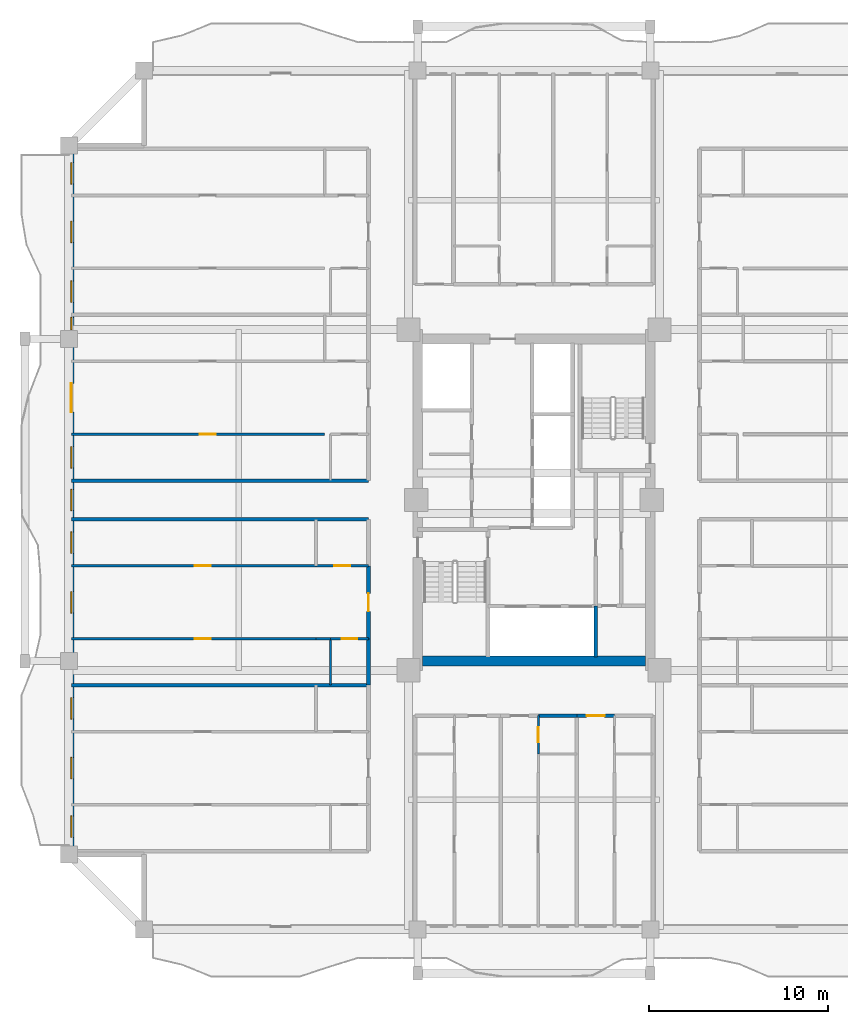
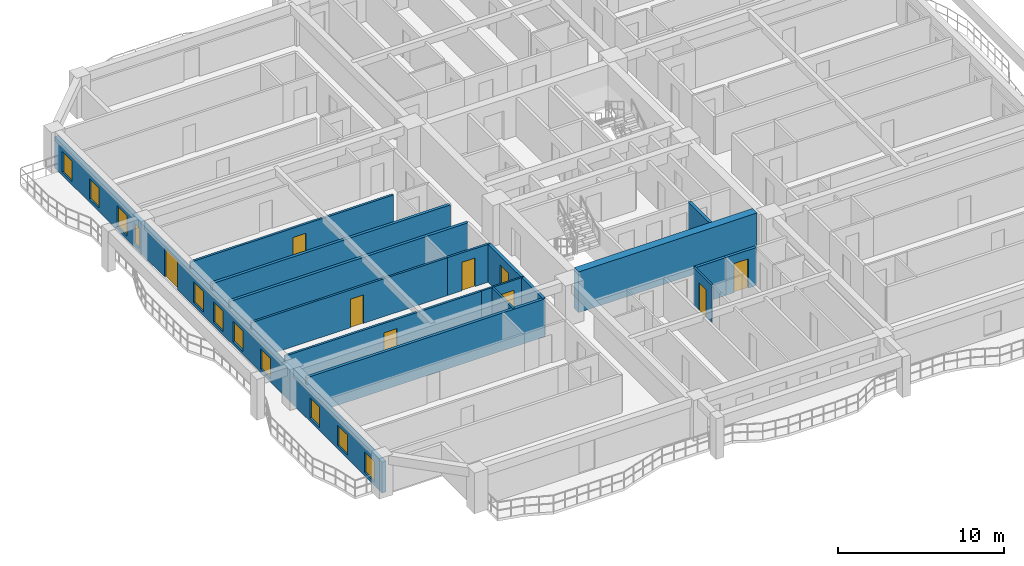
# One storey, part 3 of 13: 18 walls, 11 windows, 9 doors, 20 openings.
"""IFC4 building model written with IfcOpenShell, lengths in metres."""

from ifc_helpers import new_model, si_unit, direction, frame, frame_2d, origin, place, context, subcontext, project, spatial, rectangle, extrude, source, transform, mapped, material, layer, layer_set, type_object, element, fill, save


model = new_model("IFC4")

# Units and contexts
model_context = context("Model", 3, precision=1e-05, world=origin(), true_north=direction((0.0, 1.0)))
body_context = subcontext(model_context, "Body", "Model", "MODEL_VIEW")
ifc_project = project(units=[si_unit("LENGTHUNIT", "METRE"), si_unit("AREAUNIT", "SQUARE_METRE"), si_unit("VOLUMEUNIT", "CUBIC_METRE"), si_unit("PLANEANGLEUNIT", "RADIAN"), si_unit("MASSUNIT", "GRAM", prefix="KILO")], contexts=[model_context])

# Site, building, storey
site_placement = place(None, origin())
site = spatial("IfcSite", under=ifc_project, at=site_placement, CompositionType="ELEMENT")
building_placement = place(site_placement, origin())
building = spatial("IfcBuilding", under=site, at=building_placement, Name="Saelheon Loggia Tower", CompositionType="ELEMENT")
storey_placement = place(building_placement, frame((0.0, 0.0, 110.85009765625)))
storey = spatial("IfcBuildingStorey", under=building, at=storey_placement, Name="L35", CompositionType="ELEMENT", Elevation=110.85009765625)

# Wall
ifc_material_1 = material(Name="Concrete C50/60", Category="concrete")
ifc_layer_1 = layer(ifc_material_1, 0.550048828125)
ifc_layer_set_1 = layer_set([ifc_layer_1], Name="Concrete C50/60")
wall_type_1 = type_object("IfcWallType", Name="Wall_CoreShear_550", PredefinedType="SHEAR", material=ifc_layer_set_1)
wall_1_placement = place(storey_placement, frame((31.77490234375, 18.0, 0.0), z_axis=(0.0, 0.0, 1.0), x_axis=(1.0, 0.0, 0.0)))
element("IfcWall", 1, at=wall_1_placement, inside=storey, type_object=wall_type_1, Name="L35 Core Shear Wall South", PredefinedType="SHEAR", context=body_context, shape_type="SweptSolid", body=[
    extrude(rectangle(XDim=12.4501953125, YDim=0.550048828125, at=frame_2d((6.22509765625, 0.0))), origin(), (0.0, 0.0, 1.0), 3.0),
])

# Wall, openings, windows, door
ifc_material_2 = material(Name="Architectural Precast Concrete C40/50", Category="concrete")
ifc_layer_2 = layer(ifc_material_2, 0.280029296875)
ifc_layer_set_2 = layer_set([ifc_layer_2], Name="Architectural Precast Concrete C40/50")
wall_type_2 = type_object("IfcWallType", Name="Wall_Ext_Loggia_280", PredefinedType="SOLIDWALL", material=ifc_layer_set_2)
wall_2_placement = place(storey_placement, frame((12.139892578125, 7.199951171875, 0.0), z_axis=(0.0, 0.0, 1.0), x_axis=(0.0, 1.0, 0.0)))
wall_2 = element("IfcWall", 2, at=wall_2_placement, inside=storey, type_object=wall_type_2, Name="L35 West Loggia Inner Wall", PredefinedType="SOLIDWALL", context=body_context, shape_type="SweptSolid", body=[
    extrude(rectangle(XDim=39.60009765625, YDim=0.280029296875, at=frame_2d((19.800048828125, 0.0))), origin(), (0.0, 0.0, 1.0), 2.27978515625),
])
opening_1_placement = place(wall_2_placement, frame((0.9453125, 0.0, 0.25)))
opening_1 = element("IfcOpeningElement", 3, at=opening_1_placement, cuts=wall_2, Name="Opening WN-03", PredefinedType="OPENING", context=body_context, shape_type="SweptSolid", body=[
    extrude(rectangle(XDim=1.199951171875, YDim=1.5, at=frame_2d((0.60009765625, 0.75))), frame((0.0, 0.152099609375, 0.0), z_axis=(0.0, -1.0, 0.0), x_axis=(1.0, 0.0, 0.0)), (0.0, 0.0, 1.0), 0.303955078125),
])
opening_2_placement = place(wall_2_placement, frame((4.212890625, 0.0, 0.25)))
opening_2 = element("IfcOpeningElement", 4, at=opening_2_placement, cuts=wall_2, Name="Opening WN-03", PredefinedType="OPENING", context=body_context, shape_type="SweptSolid", body=[
    extrude(rectangle(XDim=1.199951171875, YDim=1.5, at=frame_2d((0.60009765625, 0.75))), frame((0.0, 0.152099609375, 0.0), z_axis=(0.0, -1.0, 0.0), x_axis=(1.0, 0.0, 0.0)), (0.0, 0.0, 1.0), 0.303955078125),
])
opening_3_placement = place(wall_2_placement, frame((7.550048828125, 0.0, 0.25)))
opening_3 = element("IfcOpeningElement", 5, at=opening_3_placement, cuts=wall_2, Name="Opening WN-03", PredefinedType="OPENING", context=body_context, shape_type="SweptSolid", body=[
    extrude(rectangle(XDim=1.199951171875, YDim=1.5, at=frame_2d((0.60009765625, 0.75))), frame((0.0, 0.152099609375, 0.0), z_axis=(0.0, -1.0, 0.0), x_axis=(1.0, 0.0, 0.0)), (0.0, 0.0, 1.0), 0.303955078125),
])
opening_4_placement = place(wall_2_placement, frame((13.48291015625, 0.0, 0.25)))
opening_4 = element("IfcOpeningElement", 6, at=opening_4_placement, cuts=wall_2, Name="Opening WN-03", PredefinedType="OPENING", context=body_context, shape_type="SweptSolid", body=[
    extrude(rectangle(XDim=1.199951171875, YDim=1.5, at=frame_2d((0.60009765625, 0.75))), frame((0.0, 0.152099609375, 0.0), z_axis=(0.0, -1.0, 0.0), x_axis=(1.0, 0.0, 0.0)), (0.0, 0.0, 1.0), 0.303955078125),
])
opening_5_placement = place(wall_2_placement, frame((16.820068359375, 0.0, 0.25)))
opening_5 = element("IfcOpeningElement", 7, at=opening_5_placement, cuts=wall_2, Name="Opening WN-03", PredefinedType="OPENING", context=body_context, shape_type="SweptSolid", body=[
    extrude(rectangle(XDim=1.199951171875, YDim=1.5, at=frame_2d((0.60009765625, 0.75))), frame((0.0, 0.152099609375, 0.0), z_axis=(0.0, -1.0, 0.0), x_axis=(1.0, 0.0, 0.0)), (0.0, 0.0, 1.0), 0.303955078125),
])
opening_6_placement = place(wall_2_placement, frame((19.199951171875, 0.0, 0.25)))
opening_6 = element("IfcOpeningElement", 8, at=opening_6_placement, cuts=wall_2, Name="Opening WN-03", PredefinedType="OPENING", context=body_context, shape_type="SweptSolid", body=[
    extrude(rectangle(XDim=1.199951171875, YDim=1.5, at=frame_2d((0.60009765625, 0.75))), frame((0.0, 0.152099609375, 0.0), z_axis=(0.0, -1.0, 0.0), x_axis=(1.0, 0.0, 0.0)), (0.0, 0.0, 1.0), 0.303955078125),
])
opening_7_placement = place(wall_2_placement, frame((21.577880859375, 0.0, 0.25)))
opening_7 = element("IfcOpeningElement", 9, at=opening_7_placement, cuts=wall_2, Name="Opening WN-03", PredefinedType="OPENING", context=body_context, shape_type="SweptSolid", body=[
    extrude(rectangle(XDim=1.199951171875, YDim=1.5, at=frame_2d((0.60009765625, 0.75))), frame((0.0, 0.152099609375, 0.0), z_axis=(0.0, -1.0, 0.0), x_axis=(1.0, 0.0, 0.0)), (0.0, 0.0, 1.0), 0.303955078125),
])
opening_8_placement = place(wall_2_placement, frame((24.712890625, 0.0, 0.0)))
opening_8 = element("IfcOpeningElement", 10, at=opening_8_placement, cuts=wall_2, Name="Opening DLG-1", PredefinedType="OPENING", context=body_context, shape_type="SweptSolid", body=[
    extrude(rectangle(XDim=1.60009765625, YDim=2.14990234375, at=frame_2d((0.800048828125, 1.074951171875))), frame((0.0, 0.152099609375, 0.0), z_axis=(0.0, -1.0, 0.0), x_axis=(1.0, 0.0, 0.0)), (0.0, 0.0, 1.0), 0.303955078125),
])
opening_9_placement = place(wall_2_placement, frame((29.304931640625, 0.0, 0.25)))
opening_9 = element("IfcOpeningElement", 11, at=opening_9_placement, cuts=wall_2, Name="Opening WN-06", PredefinedType="OPENING", context=body_context, shape_type="SweptSolid", body=[
    extrude(rectangle(XDim=0.699951171875, YDim=1.5, at=frame_2d((0.35009765625, 0.75))), frame((0.0, 0.152099609375, 0.0), z_axis=(0.0, -1.0, 0.0), x_axis=(1.0, 0.0, 0.0)), (0.0, 0.0, 1.0), 0.303955078125),
])
opening_10_placement = place(wall_2_placement, frame((30.847900390625, 0.0, 0.25)))
opening_10 = element("IfcOpeningElement", 12, at=opening_10_placement, cuts=wall_2, Name="Opening WN-03", PredefinedType="OPENING", context=body_context, shape_type="SweptSolid", body=[
    extrude(rectangle(XDim=1.199951171875, YDim=1.5, at=frame_2d((0.60009765625, 0.75))), frame((0.0, 0.152099609375, 0.0), z_axis=(0.0, -1.0, 0.0), x_axis=(1.0, 0.0, 0.0)), (0.0, 0.0, 1.0), 0.303955078125),
])
opening_11_placement = place(wall_2_placement, frame((34.182861328125, 0.0, 0.25)))
opening_11 = element("IfcOpeningElement", 13, at=opening_11_placement, cuts=wall_2, Name="Opening WN-03", PredefinedType="OPENING", context=body_context, shape_type="SweptSolid", body=[
    extrude(rectangle(XDim=1.199951171875, YDim=1.5, at=frame_2d((0.60009765625, 0.75))), frame((0.0, 0.152099609375, 0.0), z_axis=(0.0, -1.0, 0.0), x_axis=(1.0, 0.0, 0.0)), (0.0, 0.0, 1.0), 0.303955078125),
])
opening_12_placement = place(wall_2_placement, frame((37.452392578125, 0.0, 0.25)))
opening_12 = element("IfcOpeningElement", 14, at=opening_12_placement, cuts=wall_2, Name="Opening WN-03", PredefinedType="OPENING", context=body_context, shape_type="SweptSolid", body=[
    extrude(rectangle(XDim=1.199951171875, YDim=1.5, at=frame_2d((0.60009765625, 0.75))), frame((0.0, 0.152099609375, 0.0), z_axis=(0.0, -1.0, 0.0), x_axis=(1.0, 0.0, 0.0)), (0.0, 0.0, 1.0), 0.303955078125),
])
ifc_material_3 = material(Name="Thermal-Break Aluminium and Triple Low-E Glass", Category="aluminium")
window_type_1 = type_object("IfcWindowType", Name="Win_Slot_700x1500", PartitioningType="SINGLE_PANEL", PredefinedType="WINDOW", material=ifc_material_3)
shared_shape_1 = source(origin(), body_context, "Body", "SweptSolid", [
    extrude(rectangle(XDim=0.699951171875, YDim=1.5, at=frame_2d((0.35009765625, 0.75))), frame((0.0, 0.030029296875, 0.0), z_axis=(0.0, -1.0, 0.0), x_axis=(1.0, 0.0, 0.0)), (0.0, 0.0, 1.0), 0.06005859375),
])
window_1_placement = place(opening_9_placement, origin())
window_1 = element("IfcWindow", 15, at=window_1_placement, inside=storey, type_object=window_type_1, Name="L35 W Dwelling Window 9", OverallHeight=1.5, OverallWidth=0.699951171875, PartitioningType="SINGLE_PANEL", PredefinedType="WINDOW", context=body_context, shape_type="MappedRepresentation", body=[
    mapped(shared_shape_1, transform((0.0, 0.0, 0.0), scale=1.0)),
])
fill(opening_9, window_1)
window_type_2 = type_object("IfcWindowType", Name="Win_Bedroom_1200x1500", PartitioningType="SINGLE_PANEL", PredefinedType="WINDOW", material=ifc_material_3)
shared_shape_2 = source(origin(), body_context, "Body", "SweptSolid", [
    extrude(rectangle(XDim=1.199951171875, YDim=1.5, at=frame_2d((0.60009765625, 0.75))), frame((0.0, 0.030029296875, 0.0), z_axis=(0.0, -1.0, 0.0), x_axis=(1.0, 0.0, 0.0)), (0.0, 0.0, 1.0), 0.06005859375),
])
window_2_placement = place(opening_1_placement, origin())
window_2 = element("IfcWindow", 16, at=window_2_placement, inside=storey, type_object=window_type_2, Name="L35 W Dwelling Window 1", OverallHeight=1.5, OverallWidth=1.199951171875, PartitioningType="SINGLE_PANEL", PredefinedType="WINDOW", context=body_context, shape_type="MappedRepresentation", body=[
    mapped(shared_shape_2, transform((0.0, 0.0, 0.0), scale=1.0)),
])
fill(opening_1, window_2)
window_3_placement = place(opening_2_placement, origin())
window_3 = element("IfcWindow", 17, at=window_3_placement, inside=storey, type_object=window_type_2, Name="L35 W Dwelling Window 2", OverallHeight=1.5, OverallWidth=1.199951171875, PartitioningType="SINGLE_PANEL", PredefinedType="WINDOW", context=body_context, shape_type="MappedRepresentation", body=[
    mapped(shared_shape_2, transform((0.0, 0.0, 0.0), scale=1.0)),
])
fill(opening_2, window_3)
window_4_placement = place(opening_3_placement, origin())
window_4 = element("IfcWindow", 18, at=window_4_placement, inside=storey, type_object=window_type_2, Name="L35 W Dwelling Window 3", OverallHeight=1.5, OverallWidth=1.199951171875, PartitioningType="SINGLE_PANEL", PredefinedType="WINDOW", context=body_context, shape_type="MappedRepresentation", body=[
    mapped(shared_shape_2, transform((0.0, 0.0, 0.0), scale=1.0)),
])
fill(opening_3, window_4)
window_5_placement = place(opening_4_placement, origin())
window_5 = element("IfcWindow", 19, at=window_5_placement, inside=storey, type_object=window_type_2, Name="L35 W Dwelling Window 4", OverallHeight=1.5, OverallWidth=1.199951171875, PartitioningType="SINGLE_PANEL", PredefinedType="WINDOW", context=body_context, shape_type="MappedRepresentation", body=[
    mapped(shared_shape_2, transform((0.0, 0.0, 0.0), scale=1.0)),
])
fill(opening_4, window_5)
window_6_placement = place(opening_5_placement, origin())
window_6 = element("IfcWindow", 20, at=window_6_placement, inside=storey, type_object=window_type_2, Name="L35 W Dwelling Window 5", OverallHeight=1.5, OverallWidth=1.199951171875, PartitioningType="SINGLE_PANEL", PredefinedType="WINDOW", context=body_context, shape_type="MappedRepresentation", body=[
    mapped(shared_shape_2, transform((0.0, 0.0, 0.0), scale=1.0)),
])
fill(opening_5, window_6)
window_7_placement = place(opening_6_placement, origin())
window_7 = element("IfcWindow", 21, at=window_7_placement, inside=storey, type_object=window_type_2, Name="L35 W Dwelling Window 6", OverallHeight=1.5, OverallWidth=1.199951171875, PartitioningType="SINGLE_PANEL", PredefinedType="WINDOW", context=body_context, shape_type="MappedRepresentation", body=[
    mapped(shared_shape_2, transform((0.0, 0.0, 0.0), scale=1.0)),
])
fill(opening_6, window_7)
window_8_placement = place(opening_7_placement, origin())
window_8 = element("IfcWindow", 22, at=window_8_placement, inside=storey, type_object=window_type_2, Name="L35 W Dwelling Window 7", OverallHeight=1.5, OverallWidth=1.199951171875, PartitioningType="SINGLE_PANEL", PredefinedType="WINDOW", context=body_context, shape_type="MappedRepresentation", body=[
    mapped(shared_shape_2, transform((0.0, 0.0, 0.0), scale=1.0)),
])
fill(opening_7, window_8)
window_9_placement = place(opening_10_placement, origin())
window_9 = element("IfcWindow", 23, at=window_9_placement, inside=storey, type_object=window_type_2, Name="L35 W Dwelling Window 10", OverallHeight=1.5, OverallWidth=1.199951171875, PartitioningType="SINGLE_PANEL", PredefinedType="WINDOW", context=body_context, shape_type="MappedRepresentation", body=[
    mapped(shared_shape_2, transform((0.0, 0.0, 0.0), scale=1.0)),
])
fill(opening_10, window_9)
window_10_placement = place(opening_11_placement, origin())
window_10 = element("IfcWindow", 24, at=window_10_placement, inside=storey, type_object=window_type_2, Name="L35 W Dwelling Window 11", OverallHeight=1.5, OverallWidth=1.199951171875, PartitioningType="SINGLE_PANEL", PredefinedType="WINDOW", context=body_context, shape_type="MappedRepresentation", body=[
    mapped(shared_shape_2, transform((0.0, 0.0, 0.0), scale=1.0)),
])
fill(opening_11, window_10)
window_11_placement = place(opening_12_placement, origin())
window_11 = element("IfcWindow", 25, at=window_11_placement, inside=storey, type_object=window_type_2, Name="L35 W Dwelling Window 12", OverallHeight=1.5, OverallWidth=1.199951171875, PartitioningType="SINGLE_PANEL", PredefinedType="WINDOW", context=body_context, shape_type="MappedRepresentation", body=[
    mapped(shared_shape_2, transform((0.0, 0.0, 0.0), scale=1.0)),
])
fill(opening_12, window_11)
ifc_material_4 = material(Name="Thermal-Break Aluminium Sliding Glazed Door", Category="aluminium")
door_type_1 = type_object("IfcDoorType", Name="Door_LoggiaSlide_1600", OperationType="SLIDING_TO_LEFT", PredefinedType="DOOR", material=ifc_material_4)
shared_shape_3 = source(origin(), body_context, "Body", "SweptSolid", [
    extrude(rectangle(XDim=1.60009765625, YDim=2.14990234375, at=frame_2d((0.800048828125, 1.074951171875))), frame((0.0, 0.02490234375, 0.0), z_axis=(0.0, -1.0, 0.0), x_axis=(1.0, 0.0, 0.0)), (0.0, 0.0, 1.0), 0.050048828125),
])
door_1_placement = place(opening_8_placement, origin())
door_1 = element("IfcDoor", 26, at=door_1_placement, inside=storey, type_object=door_type_1, Name="L35 W Loggia Access Door", OperationType="SLIDING_TO_LEFT", OverallHeight=2.14990234375, OverallWidth=1.60009765625, PredefinedType="DOOR", context=body_context, shape_type="MappedRepresentation", body=[
    mapped(shared_shape_3, transform((0.0, 0.0, 0.0), scale=1.0)),
])
fill(opening_8, door_1)

# Wall, opening, door
ifc_material_5 = material(Name="Lightweight Autoclaved Aerated Concrete Block and Acoustic Gypsum", Category="concrete")
ifc_layer_3 = layer(ifc_material_5, 0.14990234375)
ifc_layer_set_3 = layer_set([ifc_layer_3], Name="Lightweight Autoclaved Aerated Concrete Block and Acoustic Gypsum")
wall_type_3 = type_object("IfcWallType", Name="Wall_Part_150", PredefinedType="PARTITIONING", material=ifc_layer_set_3)
wall_3_placement = place(storey_placement, frame((25.820068359375, 19.24560546875, 0.0), z_axis=(0.0, 0.0, 1.0), x_axis=(-1.0, 0.0, 0.0)))
wall_3 = element("IfcWall", 27, at=wall_3_placement, inside=storey, type_object=wall_type_3, Name="L35 WS Partition U21", PredefinedType="PARTITIONING", context=body_context, shape_type="SweptSolid", body=[
    extrude(rectangle(XDim=13.670166015625, YDim=0.14990234375, at=frame_2d((6.8349609375, 0.0))), origin(), (0.0, 0.0, 1.0), 2.789794921875),
])
opening_13_placement = place(wall_3_placement, frame((5.872802734375, 0.0, 0.0)))
opening_13 = element("IfcOpeningElement", 28, at=opening_13_placement, cuts=wall_3, Name="Opening D-IN2", PredefinedType="OPENING", context=body_context, shape_type="SweptSolid", body=[
    extrude(rectangle(XDim=0.89990234375, YDim=2.10009765625, at=frame_2d((0.449951171875, 1.050048828125))), frame((0.0, 0.0869140625, 0.0), z_axis=(0.0, -1.0, 0.0), x_axis=(1.0, 0.0, 0.0)), (0.0, 0.0, 1.0), 0.173828125),
])
ifc_material_6 = material(Name="Engineered Oak Flush Door", Category="timber")
door_type_2 = type_object("IfcDoorType", Name="Door_Int_900", OperationType="NOTDEFINED", PredefinedType="DOOR", material=ifc_material_6)
shared_shape_4 = source(origin(), body_context, "Body", "SweptSolid", [
    extrude(rectangle(XDim=0.89990234375, YDim=2.10009765625, at=frame_2d((0.449951171875, 1.050048828125))), frame((0.0, 0.02490234375, 0.0), z_axis=(0.0, -1.0, 0.0), x_axis=(1.0, 0.0, 0.0)), (0.0, 0.0, 1.0), 0.050048828125),
])
door_2_placement = place(opening_13_placement, origin())
door_2 = element("IfcDoor", 29, at=door_2_placement, inside=storey, type_object=door_type_2, Name="Unit U07 Kitchen Door", OperationType="SINGLE_SWING_LEFT", OverallHeight=2.10009765625, OverallWidth=0.89990234375, PredefinedType="DOOR", context=body_context, shape_type="MappedRepresentation", body=[
    mapped(shared_shape_4, transform((0.0, 0.0, 0.0), scale=1.0)),
])
fill(opening_13, door_2)

wall_4_placement = place(storey_placement, frame((28.75, 23.320068359375, 0.0), z_axis=(0.0, 0.0, 1.0), x_axis=(-1.0, 0.0, 0.0)))
wall_4 = element("IfcWall", 30, at=wall_4_placement, inside=storey, type_object=wall_type_3, Name="L35 WS Partition U22", PredefinedType="PARTITIONING", context=body_context, shape_type="SweptSolid", body=[
    extrude(rectangle(XDim=2.929931640625, YDim=0.14990234375, at=frame_2d((1.46484375, 0.0))), origin(), (0.0, 0.0, 1.0), 2.789794921875),
])
opening_14_placement = place(wall_4_placement, frame((1.014892578125, 0.0, 0.0)))
opening_14 = element("IfcOpeningElement", 31, at=opening_14_placement, cuts=wall_4, Name="Opening D-IN2", PredefinedType="OPENING", context=body_context, shape_type="SweptSolid", body=[
    extrude(rectangle(XDim=0.89990234375, YDim=2.10009765625, at=frame_2d((0.449951171875, 1.050048828125))), frame((0.0, 0.0869140625, 0.0), z_axis=(0.0, -1.0, 0.0), x_axis=(1.0, 0.0, 0.0)), (0.0, 0.0, 1.0), 0.173828125),
])
door_3_placement = place(opening_14_placement, origin())
door_3 = element("IfcDoor", 32, at=door_3_placement, inside=storey, type_object=door_type_2, Name="Unit U07 Dressing Closet Door", OperationType="SINGLE_SWING_RIGHT", OverallHeight=2.10009765625, OverallWidth=0.89990234375, PredefinedType="DOOR", context=body_context, shape_type="MappedRepresentation", body=[
    mapped(shared_shape_4, transform((0.0, 0.0, 0.0), scale=1.0)),
])
fill(opening_14, door_3)

wall_5_placement = place(storey_placement, frame((25.820068359375, 23.320068359375, 0.0), z_axis=(0.0, 0.0, 1.0), x_axis=(-1.0, 0.0, 0.0)))
wall_5 = element("IfcWall", 33, at=wall_5_placement, inside=storey, type_object=wall_type_3, Name="L35 WS Partition U23", PredefinedType="PARTITIONING", context=body_context, shape_type="SweptSolid", body=[
    extrude(rectangle(XDim=13.670166015625, YDim=0.14990234375, at=frame_2d((6.8349609375, 0.0))), origin(), (0.0, 0.0, 1.0), 2.789794921875),
])
opening_15_placement = place(wall_5_placement, frame((5.872802734375, 0.0, 0.0)))
opening_15 = element("IfcOpeningElement", 34, at=opening_15_placement, cuts=wall_5, Name="Opening D-IN2", PredefinedType="OPENING", context=body_context, shape_type="SweptSolid", body=[
    extrude(rectangle(XDim=0.89990234375, YDim=2.10009765625, at=frame_2d((0.449951171875, 1.050048828125))), frame((0.0, 0.0869140625, 0.0), z_axis=(0.0, -1.0, 0.0), x_axis=(1.0, 0.0, 0.0)), (0.0, 0.0, 1.0), 0.173828125),
])
door_4_placement = place(opening_15_placement, origin())
door_4 = element("IfcDoor", 35, at=door_4_placement, inside=storey, type_object=door_type_2, Name="Unit U07 Bedroom 1 Door", OperationType="SINGLE_SWING_LEFT", OverallHeight=2.10009765625, OverallWidth=0.89990234375, PredefinedType="DOOR", context=body_context, shape_type="MappedRepresentation", body=[
    mapped(shared_shape_4, transform((0.0, 0.0, 0.0), scale=1.0)),
])
fill(opening_15, door_4)

wall_6_placement = place(storey_placement, frame((26.300048828125, 30.675537109375, 0.0), z_axis=(0.0, 0.0, 1.0), x_axis=(-1.0, 0.0, 0.0)))
wall_6 = element("IfcWall", 36, at=wall_6_placement, inside=storey, type_object=wall_type_3, Name="L35 WN Partition U09", PredefinedType="PARTITIONING", context=body_context, shape_type="SweptSolid", body=[
    extrude(rectangle(XDim=14.150146484375, YDim=0.14990234375, at=frame_2d((7.0751953125, 0.0))), origin(), (0.0, 0.0, 1.0), 2.789794921875),
])
opening_16_placement = place(wall_6_placement, frame((6.093017578125, 0.0, 0.0)))
opening_16 = element("IfcOpeningElement", 37, at=opening_16_placement, cuts=wall_6, Name="Opening D-IN2", PredefinedType="OPENING", context=body_context, shape_type="SweptSolid", body=[
    extrude(rectangle(XDim=0.89990234375, YDim=2.10009765625, at=frame_2d((0.449951171875, 1.050048828125))), frame((0.0, 0.0869140625, 0.0), z_axis=(0.0, -1.0, 0.0), x_axis=(1.0, 0.0, 0.0)), (0.0, 0.0, 1.0), 0.173828125),
])
door_5_placement = place(opening_16_placement, origin())
door_5 = element("IfcDoor", 38, at=door_5_placement, inside=storey, type_object=door_type_2, Name="Unit U08 Kitchen Door", OperationType="SINGLE_SWING_RIGHT", OverallHeight=2.10009765625, OverallWidth=0.89990234375, PredefinedType="DOOR", context=body_context, shape_type="MappedRepresentation", body=[
    mapped(shared_shape_4, transform((0.0, 0.0, 0.0), scale=1.0)),
])
fill(opening_16, door_5)

# Wall
ifc_material_7 = material(Name="Double Acoustic Stud and Fireboard Partition", Category="gypsum")
ifc_layer_4 = layer(ifc_material_7, 0.199951171875)
ifc_layer_set_4 = layer_set([ifc_layer_4], Name="Double Acoustic Stud and Fireboard Partition")
wall_type_4 = type_object("IfcWallType", Name="Wall_Party_200", PredefinedType="PARTITIONING", material=ifc_layer_set_4)
wall_7_placement = place(storey_placement, frame((38.243896484375, 14.949951171875, 0.0), z_axis=(0.0, 0.0, 1.0), x_axis=(1.0, 0.0, 0.0)))
element("IfcWall", 39, at=wall_7_placement, inside=storey, type_object=wall_type_4, Name="L35 S Partition V11", PredefinedType="PARTITIONING", context=body_context, shape_type="SweptSolid", body=[
    extrude(rectangle(XDim=2.150146484375, YDim=0.199951171875, at=frame_2d((1.0751953125, 0.0))), origin(), (0.0, 0.0, 1.0), 2.789794921875),
])

# Wall, opening, door
wall_8_placement = place(storey_placement, frame((40.39404296875, 14.949951171875, 0.0), z_axis=(0.0, 0.0, 1.0), x_axis=(1.0, 0.0, 0.0)))
wall_8 = element("IfcWall", 40, at=wall_8_placement, inside=storey, type_object=wall_type_4, Name="L35 S Partition V17", PredefinedType="PARTITIONING", context=body_context, shape_type="SweptSolid", body=[
    extrude(rectangle(XDim=2.10595703125, YDim=0.199951171875, at=frame_2d((1.052978515625, 0.0))), origin(), (0.0, 0.0, 1.0), 2.789794921875),
])
opening_17_placement = place(wall_8_placement, frame((0.552978515625, 0.0, 0.0)))
opening_17 = element("IfcOpeningElement", 41, at=opening_17_placement, cuts=wall_8, Name="Opening D-FD1", PredefinedType="OPENING", context=body_context, shape_type="SweptSolid", body=[
    extrude(rectangle(XDim=1.0, YDim=2.14990234375, at=frame_2d((0.5, 1.074951171875))), frame((0.0, 0.112060546875, 0.0), z_axis=(0.0, -1.0, 0.0), x_axis=(1.0, 0.0, 0.0)), (0.0, 0.0, 1.0), 0.223876953125),
])
ifc_material_8 = material(Name="Fire-Rated Engineered Timber Entrance Door", Category="wood")
door_type_3 = type_object("IfcDoorType", Name="Door_Flat_FD30S", OperationType="NOTDEFINED", PredefinedType="DOOR", material=ifc_material_8)
shared_shape_5 = source(origin(), body_context, "Body", "SweptSolid", [
    extrude(rectangle(XDim=1.0, YDim=2.14990234375, at=frame_2d((0.5, 1.074951171875))), frame((0.0, 0.02490234375, 0.0), z_axis=(0.0, -1.0, 0.0), x_axis=(1.0, 0.0, 0.0)), (0.0, 0.0, 1.0), 0.050048828125),
])
door_6_placement = place(opening_17_placement, origin())
door_6 = element("IfcDoor", 42, at=door_6_placement, inside=storey, type_object=door_type_3, Name="Unit U03 Entrance Door", OperationType="SINGLE_SWING_RIGHT", OverallHeight=2.14990234375, OverallWidth=1.0, PredefinedType="DOOR", context=body_context, shape_type="MappedRepresentation", body=[
    mapped(shared_shape_5, transform((0.0, 0.0, 0.0), scale=1.0)),
])
fill(opening_17, door_6)

# Walls
for number, where, z_axis, x_axis, name in (
    (43, (28.75, 25.919921875, 0.0), (0.0, 0.0, 1.0), (-1.0, 0.0, 0.0), "L35 WS Partition U02"),
    (44, (28.75, 16.64990234375, 0.0), (0.0, 0.0, 1.0), (-1.0, 0.0, 0.0), "L35 WS Partition U13"),
):
    element("IfcWall", number, at=place(storey_placement, frame(where, z_axis=z_axis, x_axis=x_axis)), inside=storey, type_object=wall_type_4, Name=name, PredefinedType="PARTITIONING", context=body_context, shape_type="SweptSolid", body=[
        extrude(rectangle(XDim=16.60009765625, YDim=0.199951171875, at=frame_2d((8.300048828125, 0.0))), origin(), (0.0, 0.0, 1.0), 2.789794921875),
    ])
wall_9_placement = place(storey_placement, frame((28.75, 16.64990234375, 0.0), z_axis=(0.0, 0.0, 1.0), x_axis=(0.0, 1.0, 0.0)))
element("IfcWall", 45, at=wall_9_placement, inside=storey, type_object=wall_type_4, Name="L35 WS Partition V14", PredefinedType="PARTITIONING", context=body_context, shape_type="SweptSolid", body=[
    extrude(rectangle(XDim=2.595703125, YDim=0.199951171875, at=frame_2d((1.2978515625, 0.0))), origin(), (0.0, 0.0, 1.0), 2.789794921875),
])

# Wall, opening, door
wall_10_placement = place(storey_placement, frame((28.75, 19.24560546875, 0.0), z_axis=(0.0, 0.0, 1.0), x_axis=(0.0, 1.0, 0.0)))
wall_10 = element("IfcWall", 46, at=wall_10_placement, inside=storey, type_object=wall_type_4, Name="L35 WS Partition V15", PredefinedType="PARTITIONING", context=body_context, shape_type="SweptSolid", body=[
    extrude(rectangle(XDim=4.074462890625, YDim=0.199951171875, at=frame_2d((2.037109375, 0.0))), origin(), (0.0, 0.0, 1.0), 2.789794921875),
])
opening_18_placement = place(wall_10_placement, frame((1.537109375, 0.0, 0.0)))
opening_18 = element("IfcOpeningElement", 47, at=opening_18_placement, cuts=wall_10, Name="Opening D-FD1", PredefinedType="OPENING", context=body_context, shape_type="SweptSolid", body=[
    extrude(rectangle(XDim=1.0, YDim=2.14990234375, at=frame_2d((0.5, 1.074951171875))), frame((0.0, 0.112060546875, 0.0), z_axis=(0.0, -1.0, 0.0), x_axis=(1.0, 0.0, 0.0)), (0.0, 0.0, 1.0), 0.223876953125),
])
door_7_placement = place(opening_18_placement, origin())
door_7 = element("IfcDoor", 48, at=door_7_placement, inside=storey, type_object=door_type_3, Name="Unit U07 Entrance Door", OperationType="SINGLE_SWING_LEFT", OverallHeight=2.14990234375, OverallWidth=1.0, PredefinedType="DOOR", context=body_context, shape_type="MappedRepresentation", body=[
    mapped(shared_shape_5, transform((0.0, 0.0, 0.0), scale=1.0)),
])
fill(opening_18, door_7)

# Walls
wall_11_placement = place(storey_placement, frame((28.75, 28.080078125, 0.0), z_axis=(0.0, 0.0, 1.0), x_axis=(-1.0, 0.0, 0.0)))
element("IfcWall", 49, at=wall_11_placement, inside=storey, type_object=wall_type_4, Name="L35 WN Partition U01", PredefinedType="PARTITIONING", context=body_context, shape_type="SweptSolid", body=[
    extrude(rectangle(XDim=16.60009765625, YDim=0.199951171875, at=frame_2d((8.300048828125, 0.0))), origin(), (0.0, 0.0, 1.0), 2.789794921875),
])
ifc_material_9 = material(Name="Concrete C40/50", Category="concrete")
ifc_layer_5 = layer(ifc_material_9, 0.199951171875)
ifc_layer_set_5 = layer_set([ifc_layer_5], Name="Concrete C40/50")
wall_type_5 = type_object("IfcWallType", Name="Wall_Shaft_200", PredefinedType="PARTITIONING", material=ifc_layer_set_5)
wall_12_placement = place(storey_placement, frame((41.449951171875, 18.219970703125, 0.0), z_axis=(0.0, 0.0, 1.0), x_axis=(0.0, 1.0, 0.0)))
element("IfcWall", 50, at=wall_12_placement, inside=storey, type_object=wall_type_5, Name="CW-INT-L35-BOH-W0", PredefinedType="PARTITIONING", context=body_context, shape_type="SweptSolid", body=[
    extrude(rectangle(XDim=2.860107421875, YDim=0.199951171875, at=frame_2d((1.43017578125, 0.0))), origin(), (0.0, 0.0, 1.0), 2.789794921875),
])

# Wall, opening, door
ifc_material_10 = material(Name="Moisture-Resistant Cement Board Partition", Category="gypsum")
ifc_layer_6 = layer(ifc_material_10, 0.1201171875)
ifc_layer_set_6 = layer_set([ifc_layer_6], Name="Moisture-Resistant Cement Board Partition")
wall_type_6 = type_object("IfcWallType", Name="Wall_WetPart_120", PredefinedType="PARTITIONING", material=ifc_layer_set_6)
wall_13_placement = place(storey_placement, frame((38.243896484375, 14.949951171875, 0.0), z_axis=(0.0, 0.0, 1.0), x_axis=(0.0, -1.0, 0.0)))
wall_13 = element("IfcWall", 51, at=wall_13_placement, inside=storey, type_object=wall_type_6, Name="L35 S Partition U12", PredefinedType="PARTITIONING", context=body_context, shape_type="SweptSolid", body=[
    extrude(rectangle(XDim=2.14990234375, YDim=0.1201171875, at=frame_2d((1.074951171875, 0.0))), origin(), (0.0, 0.0, 1.0), 2.789794921875),
])
opening_19_placement = place(wall_13_placement, frame((0.64990234375, 0.0, 0.0)))
opening_19 = element("IfcOpeningElement", 52, at=opening_19_placement, cuts=wall_13, Name="Opening D-BT1", PredefinedType="OPENING", context=body_context, shape_type="SweptSolid", body=[
    extrude(rectangle(XDim=0.85009765625, YDim=2.050048828125, at=frame_2d((0.425048828125, 1.02490234375))), frame((0.0, 0.072021484375, 0.0), z_axis=(0.0, -1.0, 0.0), x_axis=(1.0, 0.0, 0.0)), (0.0, 0.0, 1.0), 0.14404296875),
])
ifc_material_11 = material(Name="Moisture-Resistant Laminate Timber Door", Category="wood")
door_type_4 = type_object("IfcDoorType", Name="Door_Bath_850", OperationType="NOTDEFINED", PredefinedType="DOOR", material=ifc_material_11)
shared_shape_6 = source(origin(), body_context, "Body", "SweptSolid", [
    extrude(rectangle(XDim=0.85009765625, YDim=2.050048828125, at=frame_2d((0.425048828125, 1.02490234375))), frame((0.0, 0.02490234375, 0.0), z_axis=(0.0, -1.0, 0.0), x_axis=(1.0, 0.0, 0.0)), (0.0, 0.0, 1.0), 0.050048828125),
])
door_8_placement = place(opening_19_placement, origin())
door_8 = element("IfcDoor", 53, at=door_8_placement, inside=storey, type_object=door_type_4, Name="Unit U02 Bathroom Door", OperationType="SINGLE_SWING_RIGHT", OverallHeight=2.050048828125, OverallWidth=0.85009765625, PredefinedType="DOOR", context=body_context, shape_type="MappedRepresentation", body=[
    mapped(shared_shape_6, transform((0.0, 0.0, 0.0), scale=1.0)),
])
fill(opening_19, door_8)

# Wall
wall_14_placement = place(storey_placement, frame((26.6298828125, 16.64990234375, 0.0), z_axis=(0.0, 0.0, 1.0), x_axis=(0.0, 1.0, 0.0)))
element("IfcWall", 54, at=wall_14_placement, inside=storey, type_object=wall_type_6, Name="L35 WS Partition V17", PredefinedType="PARTITIONING", context=body_context, shape_type="SweptSolid", body=[
    extrude(rectangle(XDim=2.595703125, YDim=0.1201171875, at=frame_2d((1.2978515625, 0.0))), origin(), (0.0, 0.0, 1.0), 2.789794921875),
])

# Wall, opening, door
wall_15_placement = place(storey_placement, frame((28.75, 19.24560546875, 0.0), z_axis=(0.0, 0.0, 1.0), x_axis=(-1.0, 0.0, 0.0)))
wall_15 = element("IfcWall", 55, at=wall_15_placement, inside=storey, type_object=wall_type_6, Name="L35 WS Partition U19", PredefinedType="PARTITIONING", context=body_context, shape_type="SweptSolid", body=[
    extrude(rectangle(XDim=2.1201171875, YDim=0.1201171875, at=frame_2d((1.06005859375, 0.0))), origin(), (0.0, 0.0, 1.0), 2.789794921875),
])
opening_20_placement = place(wall_15_placement, frame((0.635009765625, 0.0, 0.0)))
opening_20 = element("IfcOpeningElement", 56, at=opening_20_placement, cuts=wall_15, Name="Opening D-BT1", PredefinedType="OPENING", context=body_context, shape_type="SweptSolid", body=[
    extrude(rectangle(XDim=0.85009765625, YDim=2.050048828125, at=frame_2d((0.425048828125, 1.02490234375))), frame((0.0, 0.072021484375, 0.0), z_axis=(0.0, -1.0, 0.0), x_axis=(1.0, 0.0, 0.0)), (0.0, 0.0, 1.0), 0.14404296875),
])
door_9_placement = place(opening_20_placement, origin())
door_9 = element("IfcDoor", 57, at=door_9_placement, inside=storey, type_object=door_type_4, Name="Unit U07 Bathroom Door", OperationType="SINGLE_SWING_RIGHT", OverallHeight=2.050048828125, OverallWidth=0.85009765625, PredefinedType="DOOR", context=body_context, shape_type="MappedRepresentation", body=[
    mapped(shared_shape_6, transform((0.0, 0.0, 0.0), scale=1.0)),
])
fill(opening_20, door_9)

# Wall
wall_16_placement = place(storey_placement, frame((26.6298828125, 19.24560546875, 0.0), z_axis=(0.0, 0.0, 1.0), x_axis=(-1.0, 0.0, 0.0)))
element("IfcWall", 58, at=wall_16_placement, inside=storey, type_object=wall_type_6, Name="L35 WS Partition U20", PredefinedType="PARTITIONING", context=body_context, shape_type="SweptSolid", body=[
    extrude(rectangle(XDim=0.809814453125, YDim=0.1201171875, at=frame_2d((0.40478515625, 0.0))), origin(), (0.0, 0.0, 1.0), 2.789794921875),
])

save(model, "model.ifc")
